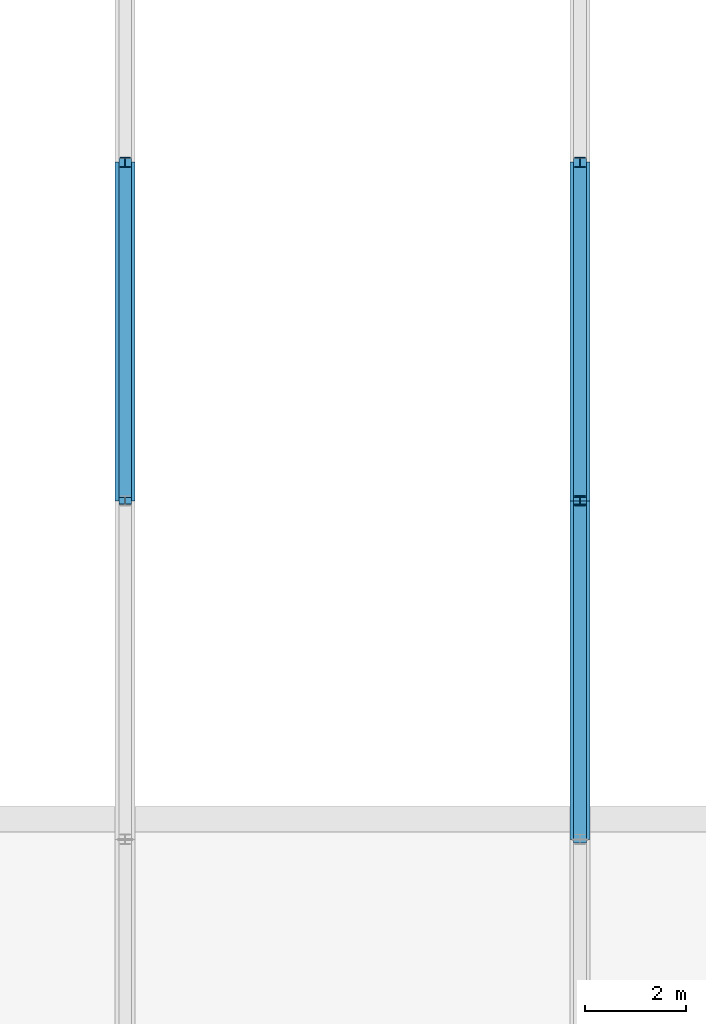
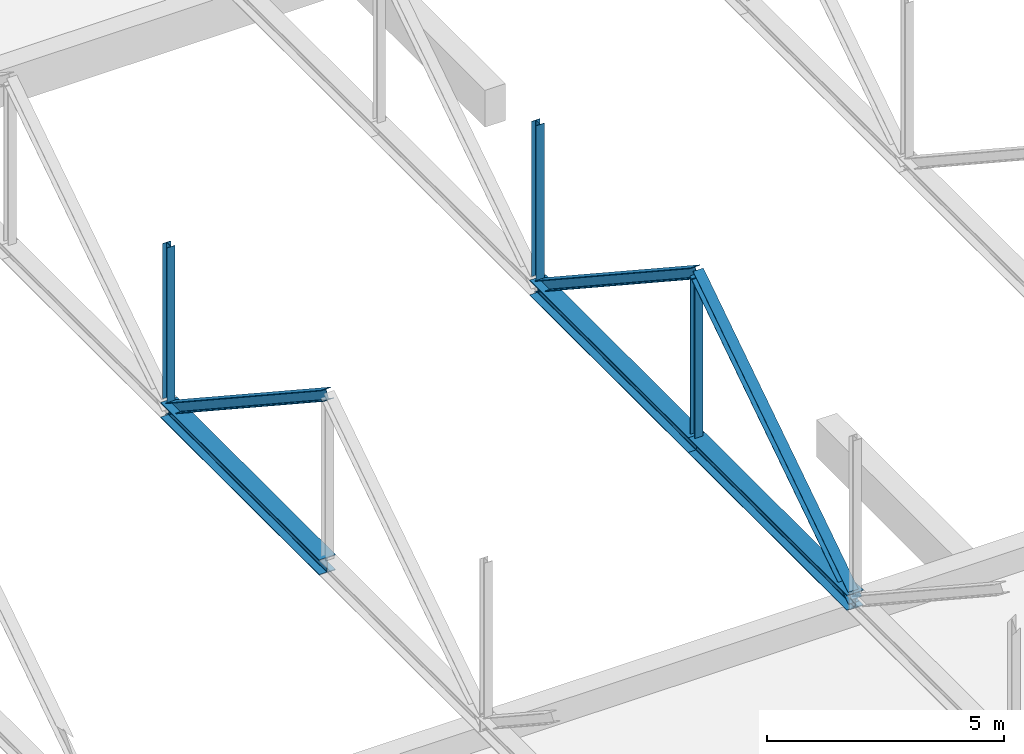
# One storey, part 12 of 49: 9 members.
"""IFC4 building model written with IfcOpenShell, lengths in metres."""

from ifc_helpers import new_model, si_unit, direction, frame, origin, origin_2d, place, context, subcontext, project, spatial, i_section, extrude, material, material_profile, profile_set, type_object, element, save


model = new_model("IFC4")

# Units and contexts
model_context = context("Model", 3, precision=1e-05, world=origin(), true_north=direction((0.0, 1.0)))
body_context = subcontext(model_context, "Body", "Model", "MODEL_VIEW")
ifc_project = project(units=[si_unit("LENGTHUNIT", "METRE"), si_unit("AREAUNIT", "SQUARE_METRE"), si_unit("VOLUMEUNIT", "CUBIC_METRE"), si_unit("PLANEANGLEUNIT", "RADIAN"), si_unit("MASSUNIT", "GRAM", prefix="KILO")], contexts=[model_context])

# Site, building, storey
site_placement = place(None, origin())
site = spatial("IfcSite", under=ifc_project, at=site_placement, CompositionType="ELEMENT")
building_placement = place(site_placement, origin())
building = spatial("IfcBuilding", under=site, at=building_placement, Name="Hunhe Ridgeline Campus", CompositionType="ELEMENT")
storey_placement = place(building_placement, frame((0.0, 0.0, 21.60009765625)))
storey = spatial("IfcBuildingStorey", under=building, at=storey_placement, Name="L04", CompositionType="ELEMENT", Elevation=21.60009765625)

# Members
ifc_material = material(Name="Steel Q355", Category="steel")
ifc_material_profile_1 = material_profile(ifc_material, i_section(OverallWidth=0.39990234375, OverallDepth=0.39990234375, WebThickness=0.012939453125, FlangeThickness=0.02099609375, FilletRadius=0.02197265625, at=origin_2d()))
ifc_profile_set_1 = profile_set([ifc_material_profile_1], Name="Steel Q355")
member_type_1 = type_object("IfcMemberType", Name="Roof truss chord HW400x400x13x21 Q355", PredefinedType="CHORD", material=ifc_profile_set_1)
for number, where, z_axis, x_axis, name in (
    (1, (180.0, 42.800048828125, 0.789794921875), (0.0, 1.0, 0.0), (-1.0, 0.0, 0.0), "Roof truss 4 bottom chord 4"),
    (2, (189.0, 36.10009765625, 0.789794921875), (0.0, 1.0, 0.0), (-1.0, 0.0, 0.0), "Roof truss 5 bottom chord 3"),
    (3, (189.0, 42.800048828125, 0.789794921875), (0.0, 1.0, 0.0), (-1.0, 0.0, 0.0), "Roof truss 5 bottom chord 4"),
):
    element("IfcMember", number, at=place(storey_placement, frame(where, z_axis=z_axis, x_axis=x_axis)), inside=storey, type_object=member_type_1, Name=name, PredefinedType="CHORD", context=body_context, shape_type="SweptSolid", body=[
        extrude(i_section(OverallWidth=0.39990234375, OverallDepth=0.39990234375, WebThickness=0.012939453125, FlangeThickness=0.02099609375, FilletRadius=0.02197265625, at=origin_2d()), origin(), (0.0, 0.0, 1.0), 6.699951171875),
    ])
ifc_material_profile_2 = material_profile(ifc_material, i_section(OverallWidth=0.25, OverallDepth=0.25, WebThickness=0.009033203125, FlangeThickness=0.013916015625, FilletRadius=0.012939453125, at=origin_2d()))
ifc_profile_set_2 = profile_set([ifc_material_profile_2], Name="Steel Q355")
member_type_2 = type_object("IfcMemberType", Name="Roof truss diagonal HW250x250x9x14 Q355", PredefinedType="BRACE", material=ifc_profile_set_2)
for number, where, z_axis, x_axis, name in (
    (4, (180.0, 42.800048828125, 5.18994140625), (0.0, 0.835858813721, -0.548944481277), (-1.0, 0.0, 0.0), "Roof truss 4 diagonal 4"),
    (5, (189.0, 36.10009765625, 0.789794921875), (0.0, 0.835858813721, 0.548944481277), (-1.0, 0.0, 0.0), "Roof truss 5 diagonal 3"),
    (6, (189.0, 42.800048828125, 5.18994140625), (0.0, 0.835858813721, -0.548944481277), (-1.0, 0.0, 0.0), "Roof truss 5 diagonal 4"),
):
    element("IfcMember", number, at=place(storey_placement, frame(where, z_axis=z_axis, x_axis=x_axis)), inside=storey, type_object=member_type_2, Name=name, PredefinedType="BRACE", context=body_context, shape_type="SweptSolid", body=[
        extrude(i_section(OverallWidth=0.25, OverallDepth=0.25, WebThickness=0.009033203125, FlangeThickness=0.013916015625, FilletRadius=0.012939453125, at=origin_2d()), origin(), (0.0, 0.0, 1.0), 8.015625),
    ])
ifc_material_profile_3 = material_profile(ifc_material, i_section(OverallWidth=0.199951171875, OverallDepth=0.199951171875, WebThickness=0.008056640625, FlangeThickness=0.011962890625, FilletRadius=0.012939453125, at=origin_2d()))
ifc_profile_set_3 = profile_set([ifc_material_profile_3], Name="Steel Q355")
member_type_3 = type_object("IfcMemberType", Name="Roof truss post HW200x200x8x12 Q355", PredefinedType="POST", material=ifc_profile_set_3)
for number, where, z_axis, x_axis, name in (
    (7, (180.0, 49.5, 0.989990234375), (0.0, 0.0, 1.0), (1.0, 0.0, 0.0), "Roof truss 4 post 4"),
    (8, (189.0, 42.800048828125, 0.989990234375), (0.0, 0.0, 1.0), (1.0, 0.0, 0.0), "Roof truss 5 post 3"),
    (9, (189.0, 49.5, 0.989990234375), (0.0, 0.0, 1.0), (1.0, 0.0, 0.0), "Roof truss 5 post 4"),
):
    element("IfcMember", number, at=place(storey_placement, frame(where, z_axis=z_axis, x_axis=x_axis)), inside=storey, type_object=member_type_3, Name=name, PredefinedType="POST", context=body_context, shape_type="SweptSolid", body=[
        extrude(i_section(OverallWidth=0.199951171875, OverallDepth=0.199951171875, WebThickness=0.008056640625, FlangeThickness=0.011962890625, FilletRadius=0.012939453125, at=origin_2d()), origin(), (0.0, 0.0, 1.0), 4.0),
    ])

save(model, "model.ifc")
